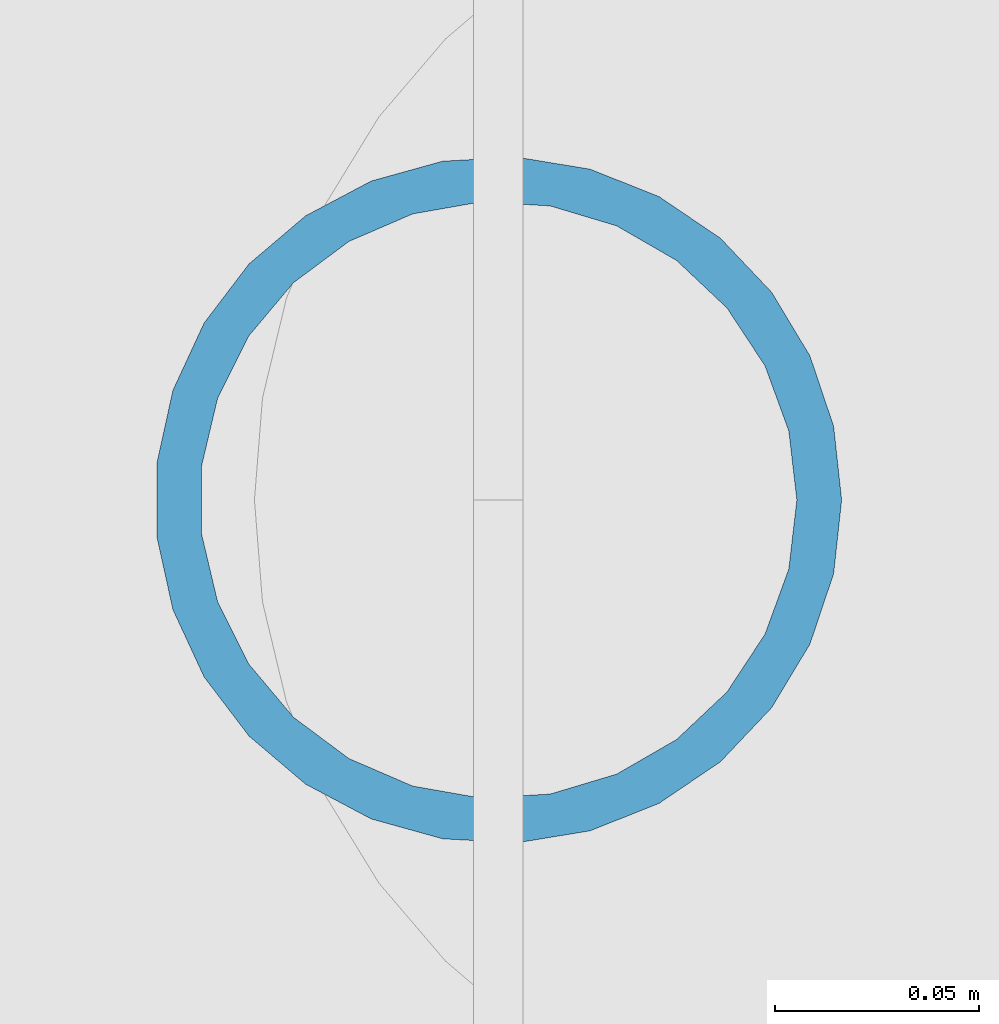
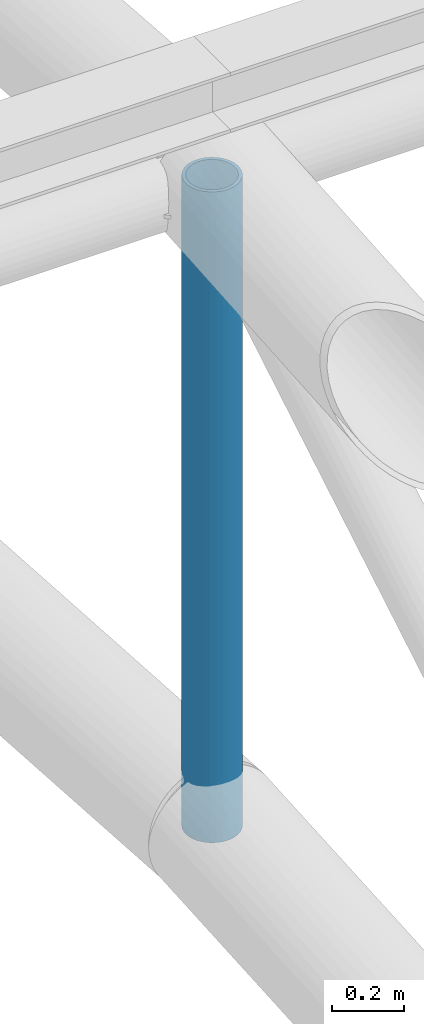
# One storey, part 32 of 110: 1 member.
"""IFC4 building model written with IfcOpenShell, lengths in metres."""

from ifc_helpers import new_model, si_unit, direction, frame, origin, origin_2d, place, context, subcontext, project, spatial, hollow_circle, extrude, material, material_profile, profile_set, type_object, element, save


model = new_model("IFC4")

# Units and contexts
model_context = context("Model", 3, precision=1e-05, world=origin(), true_north=direction((0.0, 1.0)))
body_context = subcontext(model_context, "Body", "Model", "MODEL_VIEW")
ifc_project = project(units=[si_unit("LENGTHUNIT", "METRE"), si_unit("AREAUNIT", "SQUARE_METRE"), si_unit("VOLUMEUNIT", "CUBIC_METRE"), si_unit("PLANEANGLEUNIT", "RADIAN"), si_unit("MASSUNIT", "GRAM", prefix="KILO")], contexts=[model_context])

# Site, building, storey
site_placement = place(None, origin())
site = spatial("IfcSite", under=ifc_project, at=site_placement, CompositionType="ELEMENT")
building_placement = place(site_placement, origin())
building = spatial("IfcBuilding", under=site, at=building_placement, Name="Windward Yard Aquatics Centre", CompositionType="ELEMENT")
storey_placement = place(building_placement, frame((0.0, 0.0, 22.60009765625)))
storey = spatial("IfcBuildingStorey", under=building, at=storey_placement, Name="L05", CompositionType="ELEMENT", Elevation=22.60009765625)

# Member
ifc_material = material(Name="Steel ASTM A500 Gr C", Category="steel")
ifc_material_profile = material_profile(ifc_material, hollow_circle(Radius=0.084228515625, WallThickness=0.010986328125, at=origin_2d()), Name="HSS168.3X11")
ifc_profile_set = profile_set([ifc_material_profile], Name="Steel ASTM A500 Gr C")
member_type = type_object("IfcMemberType", Name="H arch post HSS168.3X11", PredefinedType="POST", material=ifc_profile_set)
member_placement = place(storey_placement, frame((120.0, 61.0, 6.5966796875), z_axis=(0.0, 0.0, 1.0), x_axis=(1.0, 0.0, 0.0)))
element("IfcMember", 1, at=member_placement, inside=storey, type_object=member_type, Name="H.AT.6.WP06", PredefinedType="POST", context=body_context, shape_type="SweptSolid", body=[
    extrude(hollow_circle(Radius=0.084228515625, WallThickness=0.010986328125, at=origin_2d()), origin(), (0.0, 0.0, 1.0), 2.199951171875),
])

save(model, "model.ifc")
